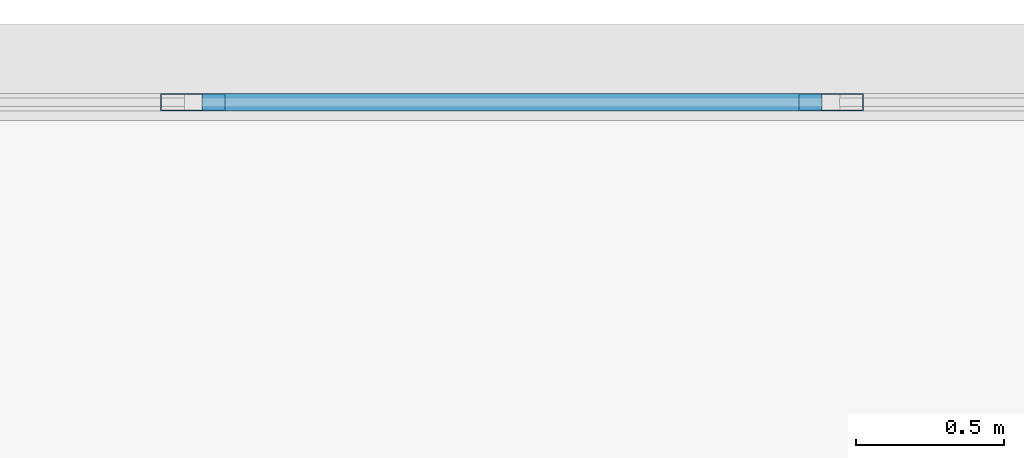
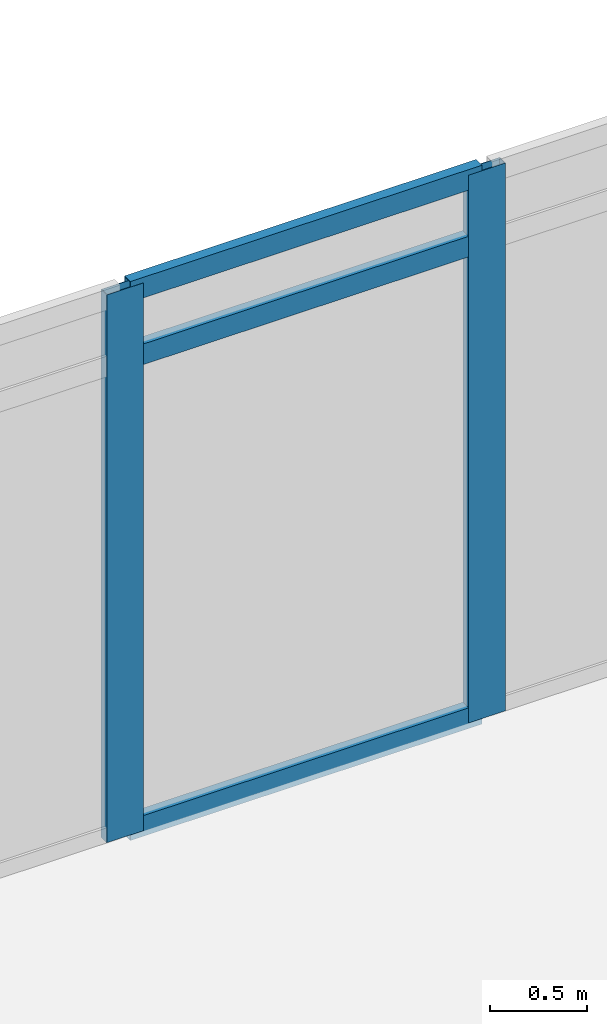
# One storey, part 17 of 29: 5 members, 1 element without a shape of its own.
"""IFC4 building model written with IfcOpenShell, lengths in metres."""

from ifc_helpers import new_model, si_unit, direction, frame, origin, origin_2d, place, context, subcontext, project, spatial, hollow_rectangle, extrude, material, material_profile, profile_set, type_object, element, aggregate, save


model = new_model("IFC4")

# Units and contexts
model_context = context("Model", 3, precision=1e-05, world=origin(), true_north=direction((0.0, 1.0)))
body_context = subcontext(model_context, "Body", "Model", "MODEL_VIEW")
ifc_project = project(units=[si_unit("LENGTHUNIT", "METRE"), si_unit("AREAUNIT", "SQUARE_METRE"), si_unit("VOLUMEUNIT", "CUBIC_METRE"), si_unit("PLANEANGLEUNIT", "RADIAN"), si_unit("MASSUNIT", "GRAM", prefix="KILO")], contexts=[model_context])

# Site, building, storey
site_placement = place(None, origin())
site = spatial("IfcSite", under=ifc_project, at=site_placement, CompositionType="ELEMENT")
building_placement = place(site_placement, origin())
building = spatial("IfcBuilding", under=site, at=building_placement, Name="Ostrander Bayou Hotel Tower", CompositionType="ELEMENT")
storey_placement = place(building_placement, frame((0.0, 0.0, 202.0)))
storey = spatial("IfcBuildingStorey", under=building, at=storey_placement, Name="L50", CompositionType="ELEMENT", Elevation=202.0)

# Curtain wall, members
ifc_material_1 = material(Name="Aluminium and clear glass", Category="aluminium")
curtain_wall_type = type_object("IfcCurtainWallType", Name="CW-BAR glazed wall", PredefinedType="NOTDEFINED", material=ifc_material_1)
curtain_wall_placement = place(storey_placement, origin())
curtain_wall = element("IfcCurtainWall", 1, at=curtain_wall_placement, inside=storey, type_object=curtain_wall_type, Name="CW-BAR L50:SB4N:T", PredefinedType="NOTDEFINED")
ifc_material_2 = material(Name="Aluminium", Category="aluminium")
ifc_material_profile_1 = material_profile(ifc_material_2, hollow_rectangle(XDim=0.06005859375, YDim=0.219970703125, WallThickness=0.00390625, at=origin_2d()))
ifc_profile_set_1 = profile_set([ifc_material_profile_1], Name="Aluminium")
member_type_1 = type_object("IfcMemberType", Name="CW-BR mullion 60 x 220 mm", PredefinedType="MULLION", material=ifc_profile_set_1)
member_1_placement = place(storey_placement, frame((-3.23388671875, 27.916015625, 0.0), z_axis=(0.0, 0.0, 1.0), x_axis=(0.0, 1.0, 0.0)))
member_1 = element("IfcMember", 2, at=member_1_placement, type_object=member_type_1, Name="CW-BAR mullion 5", PredefinedType="MULLION", context=body_context, shape_type="SweptSolid", body=[
    extrude(hollow_rectangle(XDim=0.06005859375, YDim=0.219970703125, WallThickness=0.00390625, at=origin_2d()), origin(), (0.0, 0.0, 1.0), 3.449951171875),
])
member_2_placement = place(storey_placement, frame((-1.077880859375, 27.916015625, 0.0), z_axis=(0.0, 0.0, 1.0), x_axis=(0.0, 1.0, 0.0)))
member_2 = element("IfcMember", 3, at=member_2_placement, type_object=member_type_1, Name="CW-BAR mullion 6", PredefinedType="MULLION", context=body_context, shape_type="SweptSolid", body=[
    extrude(hollow_rectangle(XDim=0.06005859375, YDim=0.219970703125, WallThickness=0.00390625, at=origin_2d()), origin(), (0.0, 0.0, 1.0), 3.449951171875),
])
ifc_material_3 = material(Name="Aluminium", Category="aluminium")
ifc_material_profile_2 = material_profile(ifc_material_3, hollow_rectangle(XDim=0.06005859375, YDim=0.1298828125, WallThickness=0.00390625, at=origin_2d()))
ifc_profile_set_2 = profile_set([ifc_material_profile_2], Name="Aluminium")
member_type_2 = type_object("IfcMemberType", Name="CW-BR transom 60 x 130 mm", PredefinedType="USERDEFINED", material=ifc_profile_set_2)
member_3_placement = place(storey_placement, frame((-3.203857421875, 27.916015625, 0.030029296875), z_axis=(1.0, 0.0, 0.0), x_axis=(0.0, 1.0, 0.0)))
member_3 = element("IfcMember", 4, at=member_3_placement, type_object=member_type_2, Name="CW-BAR transom 5.1", ObjectType="TRANSOM", PredefinedType="USERDEFINED", context=body_context, shape_type="SweptSolid", body=[
    extrude(hollow_rectangle(XDim=0.06005859375, YDim=0.1298828125, WallThickness=0.00390625, at=origin_2d()), origin(), (0.0, 0.0, 1.0), 2.095947265625),
])
member_4_placement = place(storey_placement, frame((-3.203857421875, 27.916015625, 3.0), z_axis=(1.0, 0.0, 0.0), x_axis=(0.0, 1.0, 0.0)))
member_4 = element("IfcMember", 5, at=member_4_placement, type_object=member_type_2, Name="CW-BAR transom 5.2", ObjectType="TRANSOM", PredefinedType="USERDEFINED", context=body_context, shape_type="SweptSolid", body=[
    extrude(hollow_rectangle(XDim=0.06005859375, YDim=0.1298828125, WallThickness=0.00390625, at=origin_2d()), origin(), (0.0, 0.0, 1.0), 2.095947265625),
])
member_5_placement = place(storey_placement, frame((-3.203857421875, 27.916015625, 3.419921875), z_axis=(1.0, 0.0, 0.0), x_axis=(0.0, 1.0, 0.0)))
member_5 = element("IfcMember", 6, at=member_5_placement, type_object=member_type_2, Name="CW-BAR transom 5.3", ObjectType="TRANSOM", PredefinedType="USERDEFINED", context=body_context, shape_type="SweptSolid", body=[
    extrude(hollow_rectangle(XDim=0.06005859375, YDim=0.1298828125, WallThickness=0.00390625, at=origin_2d()), origin(), (0.0, 0.0, 1.0), 2.095947265625),
])
aggregate(curtain_wall, [member_1, member_2, member_3, member_4, member_5])

save(model, "model.ifc")
